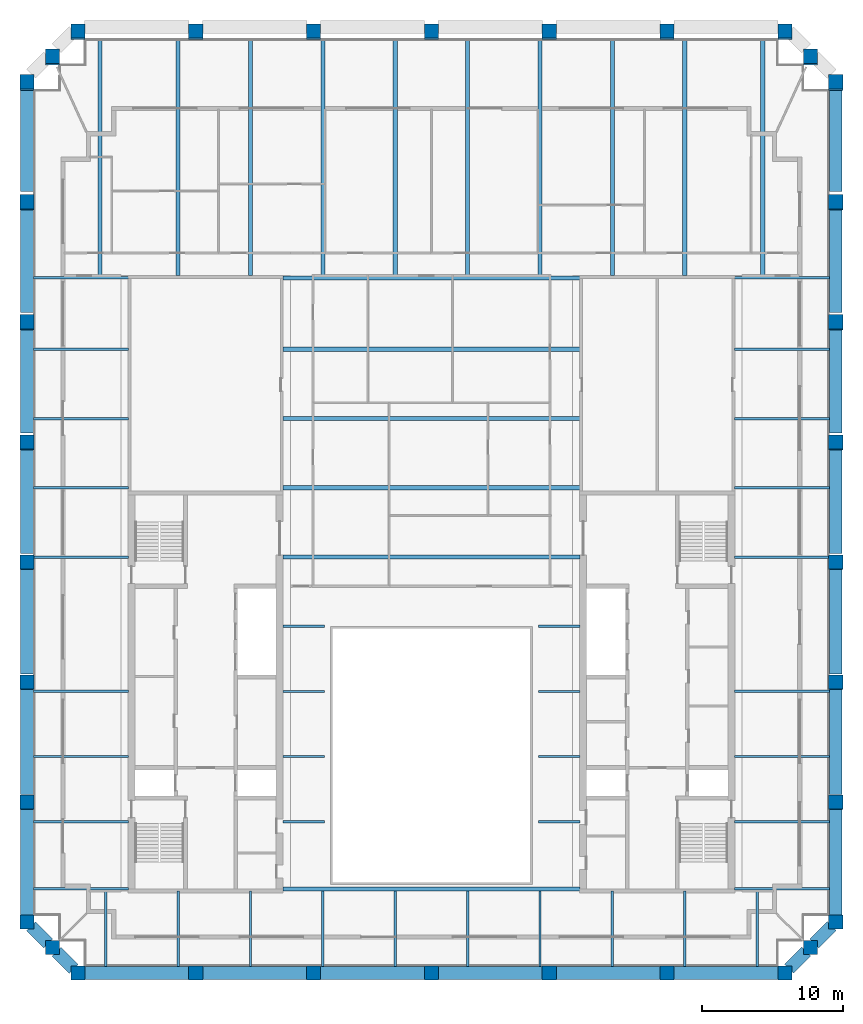
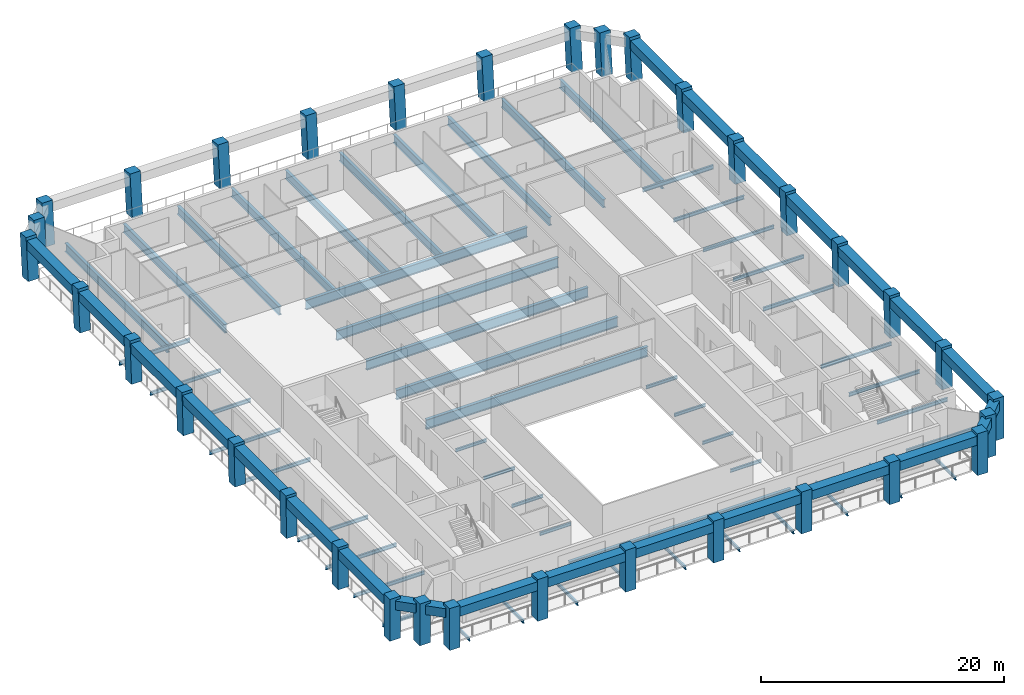
# One storey, part 1 of 8: 76 beams, 34 columns.
"""IFC4 building model written with IfcOpenShell, lengths in metres."""

from ifc_helpers import new_model, si_unit, direction, frame, origin, origin_2d, place, context, subcontext, project, spatial, rectangle, i_section, extrude, material, material_profile, profile_set, type_object, element, save


model = new_model("IFC4")

# Units and contexts
model_context = context("Model", 3, precision=1e-05, world=origin(), true_north=direction((0.0, 1.0)))
body_context = subcontext(model_context, "Body", "Model", "MODEL_VIEW")
ifc_project = project(units=[si_unit("LENGTHUNIT", "METRE"), si_unit("AREAUNIT", "SQUARE_METRE"), si_unit("VOLUMEUNIT", "CUBIC_METRE"), si_unit("PLANEANGLEUNIT", "RADIAN"), si_unit("MASSUNIT", "GRAM", prefix="KILO")], contexts=[model_context])

# Site, building, storey
site_placement = place(None, origin())
site = spatial("IfcSite", under=ifc_project, at=site_placement, CompositionType="ELEMENT")
building_placement = place(site_placement, origin())
building = spatial("IfcBuilding", under=site, at=building_placement, Name="Ogive Exchange Tower", CompositionType="ELEMENT")
storey_placement = place(building_placement, frame((0.0, 0.0, 334.199951171875)))
storey = spatial("IfcBuildingStorey", under=building, at=storey_placement, Name="L73", CompositionType="ELEMENT", Elevation=334.199951171875)

# Columns
ifc_material_1 = material(Name="Precast concrete C70/85 (limestone faced)", Category="masonry")
ifc_material_profile_1 = material_profile(ifc_material_1, rectangle(XDim=1.0, YDim=1.0, at=origin_2d()), Name="1000 x 1000")
ifc_profile_set_1 = profile_set([ifc_material_profile_1], Name="Precast concrete C70/85 (limestone faced)")
column_type = type_object("IfcColumnType", Name="Precast exoskeleton leg 1000 x 1000 C70/85", PredefinedType="COLUMN", material=ifc_profile_set_1)
for number, where, z_axis, x_axis, name in (
    (1, (-25.050048828125, -8.39990234375, 0.0), (0.0, 0.0, 1.0), (1.0, 0.0, 0.0), "Exoskeleton leg 1"),
    (2, (-16.699951171875, -8.39990234375, 0.0), (0.0, 0.0, 1.0), (1.0, 0.0, 0.0), "Exoskeleton leg 2"),
    (3, (-8.35009765625, -8.39990234375, 0.0), (0.0, 0.0, 1.0), (1.0, 0.0, 0.0), "Exoskeleton leg 3"),
    (4, (0.0, -8.39990234375, 0.0), (0.0, 0.0, 1.0), (1.0, 0.0, 0.0), "Exoskeleton leg 4"),
    (5, (8.35009765625, -8.39990234375, 0.0), (0.0, 0.0, 1.0), (1.0, 0.0, 0.0), "Exoskeleton leg 5"),
    (6, (16.699951171875, -8.39990234375, 0.0), (0.0, 0.0, 1.0), (1.0, 0.0, 0.0), "Exoskeleton leg 6"),
    (7, (25.050048828125, -8.39990234375, 0.0), (0.0, 0.0, 1.0), (1.0, 0.0, 0.0), "Exoskeleton leg 7"),
    (8, (28.64990234375, -4.800048828125, 0.0), (0.0, 0.0, 1.0), (1.0, 0.0, 0.0), "Exoskeleton leg 8"),
):
    element("IfcColumn", number, at=place(storey_placement, frame(where, z_axis=z_axis, x_axis=x_axis)), inside=storey, type_object=column_type, Name=name, PredefinedType="COLUMN", context=body_context, shape_type="SweptSolid", body=[
        extrude(rectangle(XDim=1.0, YDim=1.0, at=origin_2d()), origin(), (0.0, 0.0, 1.0), 4.199951171875),
    ])
column_1_placement = place(storey_placement, frame((28.64990234375, 3.69091796875, 0.0), z_axis=(0.0, 0.013019881024, 0.999915237757), x_axis=(-1.0, 0.0, 0.0)))
element("IfcColumn", 9, at=column_1_placement, inside=storey, type_object=column_type, Name="Exoskeleton leg 9", PredefinedType="COLUMN", context=body_context, shape_type="SweptSolid", body=[
    extrude(rectangle(XDim=1.0, YDim=1.0, at=origin_2d()), origin(), (0.0, 0.0, 1.0), 4.2001953125),
])
column_2_placement = place(storey_placement, frame((28.64990234375, 12.181884765625, 0.0), z_axis=(0.0, 0.025975072843, 0.999662590873), x_axis=(-1.0, 0.0, 0.0)))
element("IfcColumn", 10, at=column_2_placement, inside=storey, type_object=column_type, Name="Exoskeleton leg 10", PredefinedType="COLUMN", context=body_context, shape_type="SweptSolid", body=[
    extrude(rectangle(XDim=1.0, YDim=1.0, at=origin_2d()), origin(), (0.0, 0.0, 1.0), 4.201416015625),
])
column_3_placement = place(storey_placement, frame((28.64990234375, 20.672607421875, 0.0), z_axis=(0.0, 0.038975188043, 0.999240178694), x_axis=(-1.0, 0.0, 0.0)))
element("IfcColumn", 11, at=column_3_placement, inside=storey, type_object=column_type, Name="Exoskeleton leg 11", PredefinedType="COLUMN", context=body_context, shape_type="SweptSolid", body=[
    extrude(rectangle(XDim=1.0, YDim=1.0, at=origin_2d()), origin(), (0.0, 0.0, 1.0), 4.203125),
])
column_4_placement = place(storey_placement, frame((28.64990234375, 29.16357421875, 0.0), z_axis=(0.0, 0.051897648879, 0.99865240902), x_axis=(-1.0, 0.0, 0.0)))
element("IfcColumn", 12, at=column_4_placement, inside=storey, type_object=column_type, Name="Exoskeleton leg 12", PredefinedType="COLUMN", context=body_context, shape_type="SweptSolid", body=[
    extrude(rectangle(XDim=1.0, YDim=1.0, at=origin_2d()), origin(), (0.0, 0.0, 1.0), 4.20556640625),
])
column_5_placement = place(storey_placement, frame((28.64990234375, 37.654541015625, 0.0), z_axis=(0.0, 0.064794093908, 0.997898654872), x_axis=(-1.0, 0.0, 0.0)))
element("IfcColumn", 13, at=column_5_placement, inside=storey, type_object=column_type, Name="Exoskeleton leg 13", PredefinedType="COLUMN", context=body_context, shape_type="SweptSolid", body=[
    extrude(rectangle(XDim=1.0, YDim=1.0, at=origin_2d()), origin(), (0.0, 0.0, 1.0), 4.208740234375),
])
column_6_placement = place(storey_placement, frame((28.64990234375, 46.1455078125, 0.0), z_axis=(0.0, 0.077658156178, 0.996980045326), x_axis=(-1.0, 0.0, 0.0)))
element("IfcColumn", 14, at=column_6_placement, inside=storey, type_object=column_type, Name="Exoskeleton leg 14", PredefinedType="COLUMN", context=body_context, shape_type="SweptSolid", body=[
    extrude(rectangle(XDim=1.0, YDim=1.0, at=origin_2d()), origin(), (0.0, 0.0, 1.0), 4.212646484375),
])
for number, where, z_axis, x_axis, name in (
    (15, (28.64990234375, 54.636474609375, 0.0), (0.0, 0.090540965689, 0.995892731941), (-1.0, 0.0, 0.0), "Exoskeleton leg 15"),
    (16, (25.050048828125, 58.236328125, 0.0), (0.0, 0.090540965689, 0.995892731941), (-1.0, 0.0, 0.0), "Exoskeleton leg 16"),
    (17, (16.699951171875, 58.236328125, 0.0), (0.0, 0.090540965689, 0.995892731941), (-1.0, 0.0, 0.0), "Exoskeleton leg 17"),
    (18, (8.35009765625, 58.236328125, 0.0), (0.0, 0.090540965689, 0.995892731941), (-1.0, 0.0, 0.0), "Exoskeleton leg 18"),
    (19, (0.0, 58.236328125, 0.0), (0.0, 0.090540965689, 0.995892731941), (-1.0, 0.0, 0.0), "Exoskeleton leg 19"),
    (20, (-8.35009765625, 58.236328125, 0.0), (0.0, 0.090540965689, 0.995892731941), (-1.0, 0.0, 0.0), "Exoskeleton leg 20"),
    (21, (-16.699951171875, 58.236328125, 0.0), (0.0, 0.090540965689, 0.995892731941), (-1.0, 0.0, 0.0), "Exoskeleton leg 21"),
    (22, (-25.050048828125, 58.236328125, 0.0), (0.0, 0.090540965689, 0.995892731941), (-1.0, 0.0, 0.0), "Exoskeleton leg 22"),
    (23, (-28.64990234375, 54.636474609375, 0.0), (0.0, 0.090540965689, 0.995892731941), (-1.0, 0.0, 0.0), "Exoskeleton leg 23"),
):
    element("IfcColumn", number, at=place(storey_placement, frame(where, z_axis=z_axis, x_axis=x_axis)), inside=storey, type_object=column_type, Name=name, PredefinedType="COLUMN", context=body_context, shape_type="SweptSolid", body=[
        extrude(rectangle(XDim=1.0, YDim=1.0, at=origin_2d()), origin(), (0.0, 0.0, 1.0), 4.21728515625),
    ])
column_7_placement = place(storey_placement, frame((-28.64990234375, 46.1455078125, 0.0), z_axis=(0.0, 0.077658156178, 0.996980045326), x_axis=(-1.0, 0.0, 0.0)))
element("IfcColumn", 24, at=column_7_placement, inside=storey, type_object=column_type, Name="Exoskeleton leg 24", PredefinedType="COLUMN", context=body_context, shape_type="SweptSolid", body=[
    extrude(rectangle(XDim=1.0, YDim=1.0, at=origin_2d()), origin(), (0.0, 0.0, 1.0), 4.212646484375),
])
column_8_placement = place(storey_placement, frame((-28.64990234375, 37.654541015625, 0.0), z_axis=(0.0, 0.064794093908, 0.997898654872), x_axis=(-1.0, 0.0, 0.0)))
element("IfcColumn", 25, at=column_8_placement, inside=storey, type_object=column_type, Name="Exoskeleton leg 25", PredefinedType="COLUMN", context=body_context, shape_type="SweptSolid", body=[
    extrude(rectangle(XDim=1.0, YDim=1.0, at=origin_2d()), origin(), (0.0, 0.0, 1.0), 4.208740234375),
])
column_9_placement = place(storey_placement, frame((-28.64990234375, 29.16357421875, 0.0), z_axis=(0.0, 0.051897648879, 0.99865240902), x_axis=(-1.0, 0.0, 0.0)))
element("IfcColumn", 26, at=column_9_placement, inside=storey, type_object=column_type, Name="Exoskeleton leg 26", PredefinedType="COLUMN", context=body_context, shape_type="SweptSolid", body=[
    extrude(rectangle(XDim=1.0, YDim=1.0, at=origin_2d()), origin(), (0.0, 0.0, 1.0), 4.20556640625),
])
column_10_placement = place(storey_placement, frame((-28.64990234375, 20.672607421875, 0.0), z_axis=(0.0, 0.038975188043, 0.999240178694), x_axis=(-1.0, 0.0, 0.0)))
element("IfcColumn", 27, at=column_10_placement, inside=storey, type_object=column_type, Name="Exoskeleton leg 27", PredefinedType="COLUMN", context=body_context, shape_type="SweptSolid", body=[
    extrude(rectangle(XDim=1.0, YDim=1.0, at=origin_2d()), origin(), (0.0, 0.0, 1.0), 4.203125),
])
column_11_placement = place(storey_placement, frame((-28.64990234375, 12.181884765625, 0.0), z_axis=(0.0, 0.025975072843, 0.999662590873), x_axis=(-1.0, 0.0, 0.0)))
element("IfcColumn", 28, at=column_11_placement, inside=storey, type_object=column_type, Name="Exoskeleton leg 28", PredefinedType="COLUMN", context=body_context, shape_type="SweptSolid", body=[
    extrude(rectangle(XDim=1.0, YDim=1.0, at=origin_2d()), origin(), (0.0, 0.0, 1.0), 4.201416015625),
])
column_12_placement = place(storey_placement, frame((-28.64990234375, 3.69091796875, 0.0), z_axis=(0.0, 0.013019881024, 0.999915237757), x_axis=(-1.0, 0.0, 0.0)))
element("IfcColumn", 29, at=column_12_placement, inside=storey, type_object=column_type, Name="Exoskeleton leg 29", PredefinedType="COLUMN", context=body_context, shape_type="SweptSolid", body=[
    extrude(rectangle(XDim=1.0, YDim=1.0, at=origin_2d()), origin(), (0.0, 0.0, 1.0), 4.2001953125),
])
for number, where, z_axis, x_axis, name in (
    (30, (-28.64990234375, -4.800048828125, 0.0), (0.0, 0.0, 1.0), (1.0, 0.0, 0.0), "Exoskeleton leg 30"),
    (31, (26.85009765625, -6.60009765625, 0.0), (0.0, 0.0, 1.0), (1.0, 0.0, 0.0), "Exoskeleton leg 31"),
):
    element("IfcColumn", number, at=place(storey_placement, frame(where, z_axis=z_axis, x_axis=x_axis)), inside=storey, type_object=column_type, Name=name, PredefinedType="COLUMN", context=body_context, shape_type="SweptSolid", body=[
        extrude(rectangle(XDim=1.0, YDim=1.0, at=origin_2d()), origin(), (0.0, 0.0, 1.0), 4.199951171875),
    ])
for number, where, z_axis, x_axis, name in (
    (32, (26.85009765625, 56.436279296875, 0.0), (0.0, 0.090540965689, 0.995892731941), (-1.0, 0.0, 0.0), "Exoskeleton leg 32"),
    (33, (-26.85009765625, 56.436279296875, 0.0), (0.0, 0.090540965689, 0.995892731941), (-1.0, 0.0, 0.0), "Exoskeleton leg 33"),
):
    element("IfcColumn", number, at=place(storey_placement, frame(where, z_axis=z_axis, x_axis=x_axis)), inside=storey, type_object=column_type, Name=name, PredefinedType="COLUMN", context=body_context, shape_type="SweptSolid", body=[
        extrude(rectangle(XDim=1.0, YDim=1.0, at=origin_2d()), origin(), (0.0, 0.0, 1.0), 4.21728515625),
    ])
column_13_placement = place(storey_placement, frame((-26.85009765625, -6.60009765625, 0.0), z_axis=(0.0, 0.0, 1.0), x_axis=(1.0, 0.0, 0.0)))
element("IfcColumn", 34, at=column_13_placement, inside=storey, type_object=column_type, Name="Exoskeleton leg 34", PredefinedType="COLUMN", context=body_context, shape_type="SweptSolid", body=[
    extrude(rectangle(XDim=1.0, YDim=1.0, at=origin_2d()), origin(), (0.0, 0.0, 1.0), 4.199951171875),
])

# Beams
ifc_material_2 = material(Name="Steel ASTM A992 Gr50", Category="steel")
ifc_material_profile_2 = material_profile(ifc_material_2, i_section(OverallWidth=0.300048828125, OverallDepth=0.97998046875, WebThickness=0.0166015625, FlangeThickness=0.026123046875, at=origin_2d()), Name="W1000x249")
ifc_profile_set_2 = profile_set([ifc_material_profile_2], Name="Steel ASTM A992 Gr50")
beam_type_1 = type_object("IfcBeamType", Name="Floor beam W1000x249", PredefinedType="JOIST", material=ifc_profile_set_2)
for number, where, z_axis, x_axis, name in (
    (35, (-10.52001953125, 21.06201171875, -0.68994140625), (1.0, 0.0, 0.0), (0.0, 1.0, 0.0), "Floor beam"),
    (36, (-10.52001953125, 25.968994140625, -0.68994140625), (1.0, 0.0, 0.0), (0.0, 1.0, 0.0), "Floor beam"),
    (37, (-10.52001953125, 30.8759765625, -0.68994140625), (1.0, 0.0, 0.0), (0.0, 1.0, 0.0), "Floor beam"),
    (38, (-10.52001953125, 35.782958984375, -0.68994140625), (1.0, 0.0, 0.0), (0.0, 1.0, 0.0), "Floor beam"),
):
    element("IfcBeam", number, at=place(storey_placement, frame(where, z_axis=z_axis, x_axis=x_axis)), inside=storey, type_object=beam_type_1, Name=name, PredefinedType="JOIST", context=body_context, shape_type="SweptSolid", body=[
        extrude(i_section(OverallWidth=0.300048828125, OverallDepth=0.97998046875, WebThickness=0.0166015625, FlangeThickness=0.026123046875, at=origin_2d()), origin(), (0.0, 0.0, 1.0), 21.0400390625),
    ])
ifc_material_profile_3 = material_profile(ifc_material_2, i_section(OverallWidth=0.1650390625, OverallDepth=0.31005859375, WebThickness=0.005859375, FlangeThickness=0.009765625, at=origin_2d()), Name="W310x38.7")
ifc_profile_set_3 = profile_set([ifc_material_profile_3], Name="Steel ASTM A992 Gr50")
beam_type_2 = type_object("IfcBeamType", Name="Floor beam W310x38.7", PredefinedType="JOIST", material=ifc_profile_set_3)
for number, where, z_axis, x_axis, name in (
    (39, (-10.52001953125, 2.3212890625, -0.35498046875), (1.0, 0.0, 0.0), (0.0, 1.0, 0.0), "Floor beam"),
    (40, (7.570068359375, 2.3212890625, -0.35498046875), (1.0, 0.0, 0.0), (0.0, 1.0, 0.0), "Floor beam"),
    (41, (-10.52001953125, 6.9326171875, -0.35498046875), (1.0, 0.0, 0.0), (0.0, 1.0, 0.0), "Floor beam"),
    (42, (7.570068359375, 6.9326171875, -0.35498046875), (1.0, 0.0, 0.0), (0.0, 1.0, 0.0), "Floor beam"),
    (43, (-10.52001953125, 11.543701171875, -0.35498046875), (1.0, 0.0, 0.0), (0.0, 1.0, 0.0), "Floor beam"),
    (44, (7.570068359375, 11.543701171875, -0.35498046875), (1.0, 0.0, 0.0), (0.0, 1.0, 0.0), "Floor beam"),
):
    element("IfcBeam", number, at=place(storey_placement, frame(where, z_axis=z_axis, x_axis=x_axis)), inside=storey, type_object=beam_type_2, Name=name, PredefinedType="JOIST", context=body_context, shape_type="SweptSolid", body=[
        extrude(i_section(OverallWidth=0.1650390625, OverallDepth=0.31005859375, WebThickness=0.005859375, FlangeThickness=0.009765625, at=origin_2d()), origin(), (0.0, 0.0, 1.0), 2.949951171875),
    ])
beam_1_placement = place(storey_placement, frame((-23.07275390625, -7.949951171875, -0.35498046875), z_axis=(0.0, 1.0, 0.0), x_axis=(-1.0, 0.0, 0.0)))
element("IfcBeam", 45, at=beam_1_placement, inside=storey, type_object=beam_type_2, Name="Floor beam", PredefinedType="JOIST", context=body_context, shape_type="SweptSolid", body=[
    extrude(i_section(OverallWidth=0.1650390625, OverallDepth=0.31005859375, WebThickness=0.005859375, FlangeThickness=0.009765625, at=origin_2d()), origin(), (0.0, 0.0, 1.0), 5.416015625),
])
for number, where, z_axis, x_axis, name in (
    (46, (-17.945556640625, -7.949951171875, -0.35498046875), (0.0, 1.0, 0.0), (-1.0, 0.0, 0.0), "Floor beam"),
    (47, (-12.818115234375, -7.949951171875, -0.35498046875), (0.0, 1.0, 0.0), (-1.0, 0.0, 0.0), "Floor beam"),
):
    element("IfcBeam", number, at=place(storey_placement, frame(where, z_axis=z_axis, x_axis=x_axis)), inside=storey, type_object=beam_type_2, Name=name, PredefinedType="JOIST", context=body_context, shape_type="SweptSolid", body=[
        extrude(i_section(OverallWidth=0.1650390625, OverallDepth=0.31005859375, WebThickness=0.005859375, FlangeThickness=0.009765625, at=origin_2d()), origin(), (0.0, 0.0, 1.0), 5.349853515625),
    ])
for number, where, z_axis, x_axis, name in (
    (48, (-7.69091796875, -7.949951171875, -0.35498046875), (0.0, 1.0, 0.0), (-1.0, 0.0, 0.0), "Floor beam"),
    (49, (-2.563720703125, -7.949951171875, -0.35498046875), (0.0, 1.0, 0.0), (-1.0, 0.0, 0.0), "Floor beam"),
    (50, (2.563720703125, -7.949951171875, -0.35498046875), (0.0, 1.0, 0.0), (-1.0, 0.0, 0.0), "Floor beam"),
    (51, (7.69091796875, -7.949951171875, -0.35498046875), (0.0, 1.0, 0.0), (-1.0, 0.0, 0.0), "Floor beam"),
):
    element("IfcBeam", number, at=place(storey_placement, frame(where, z_axis=z_axis, x_axis=x_axis)), inside=storey, type_object=beam_type_2, Name=name, PredefinedType="JOIST", context=body_context, shape_type="SweptSolid", body=[
        extrude(i_section(OverallWidth=0.1650390625, OverallDepth=0.31005859375, WebThickness=0.005859375, FlangeThickness=0.009765625, at=origin_2d()), origin(), (0.0, 0.0, 1.0), 5.35498046875),
    ])
for number, where, z_axis, x_axis, name in (
    (52, (12.818115234375, -7.949951171875, -0.35498046875), (0.0, 1.0, 0.0), (-1.0, 0.0, 0.0), "Floor beam"),
    (53, (17.945556640625, -7.949951171875, -0.35498046875), (0.0, 1.0, 0.0), (-1.0, 0.0, 0.0), "Floor beam"),
):
    element("IfcBeam", number, at=place(storey_placement, frame(where, z_axis=z_axis, x_axis=x_axis)), inside=storey, type_object=beam_type_2, Name=name, PredefinedType="JOIST", context=body_context, shape_type="SweptSolid", body=[
        extrude(i_section(OverallWidth=0.1650390625, OverallDepth=0.31005859375, WebThickness=0.005859375, FlangeThickness=0.009765625, at=origin_2d()), origin(), (0.0, 0.0, 1.0), 5.349853515625),
    ])
beam_2_placement = place(storey_placement, frame((23.07275390625, -7.949951171875, -0.35498046875), z_axis=(0.0, 1.0, 0.0), x_axis=(-1.0, 0.0, 0.0)))
element("IfcBeam", 54, at=beam_2_placement, inside=storey, type_object=beam_type_2, Name="Floor beam", PredefinedType="JOIST", context=body_context, shape_type="SweptSolid", body=[
    extrude(i_section(OverallWidth=0.1650390625, OverallDepth=0.31005859375, WebThickness=0.005859375, FlangeThickness=0.009765625, at=origin_2d()), origin(), (0.0, 0.0, 1.0), 5.416015625),
])
ifc_material_profile_4 = material_profile(ifc_material_2, i_section(OverallWidth=0.1708984375, OverallDepth=0.35595703125, WebThickness=0.00732421875, FlangeThickness=0.01171875, at=origin_2d()), Name="W360x51")
ifc_profile_set_4 = profile_set([ifc_material_profile_4], Name="Steel ASTM A992 Gr50")
beam_type_3 = type_object("IfcBeamType", Name="Floor beam W360x51", PredefinedType="JOIST", material=ifc_profile_set_4)
for number, where, z_axis, x_axis, name in (
    (55, (-28.199951171875, 2.3212890625, -0.3779296875), (1.0, 0.0, 0.0), (0.0, 1.0, 0.0), "Floor beam"),
    (56, (21.47998046875, 2.3212890625, -0.3779296875), (1.0, 0.0, 0.0), (0.0, 1.0, 0.0), "Floor beam"),
    (57, (-28.199951171875, 6.9326171875, -0.3779296875), (1.0, 0.0, 0.0), (0.0, 1.0, 0.0), "Floor beam"),
    (58, (21.47998046875, 6.9326171875, -0.3779296875), (1.0, 0.0, 0.0), (0.0, 1.0, 0.0), "Floor beam"),
    (59, (-28.199951171875, 11.543701171875, -0.3779296875), (1.0, 0.0, 0.0), (0.0, 1.0, 0.0), "Floor beam"),
    (60, (21.47998046875, 11.543701171875, -0.3779296875), (1.0, 0.0, 0.0), (0.0, 1.0, 0.0), "Floor beam"),
    (61, (-28.199951171875, 21.06201171875, -0.3779296875), (1.0, 0.0, 0.0), (0.0, 1.0, 0.0), "Floor beam"),
    (62, (21.47998046875, 21.06201171875, -0.3779296875), (1.0, 0.0, 0.0), (0.0, 1.0, 0.0), "Floor beam"),
    (63, (-28.199951171875, 25.968994140625, -0.3779296875), (1.0, 0.0, 0.0), (0.0, 1.0, 0.0), "Floor beam"),
    (64, (21.47998046875, 25.968994140625, -0.3779296875), (1.0, 0.0, 0.0), (0.0, 1.0, 0.0), "Floor beam"),
    (65, (-28.199951171875, 30.8759765625, -0.3779296875), (1.0, 0.0, 0.0), (0.0, 1.0, 0.0), "Floor beam"),
    (66, (21.47998046875, 30.8759765625, -0.3779296875), (1.0, 0.0, 0.0), (0.0, 1.0, 0.0), "Floor beam"),
    (67, (-28.199951171875, 35.782958984375, -0.3779296875), (1.0, 0.0, 0.0), (0.0, 1.0, 0.0), "Floor beam"),
    (68, (21.47998046875, 35.782958984375, -0.3779296875), (1.0, 0.0, 0.0), (0.0, 1.0, 0.0), "Floor beam"),
):
    element("IfcBeam", number, at=place(storey_placement, frame(where, z_axis=z_axis, x_axis=x_axis)), inside=storey, type_object=beam_type_3, Name=name, PredefinedType="JOIST", context=body_context, shape_type="SweptSolid", body=[
        extrude(i_section(OverallWidth=0.1708984375, OverallDepth=0.35595703125, WebThickness=0.00732421875, FlangeThickness=0.01171875, at=origin_2d()), origin(), (0.0, 0.0, 1.0), 6.719970703125),
    ])
ifc_material_profile_5 = material_profile(ifc_material_2, i_section(OverallWidth=0.2919921875, OverallDepth=0.8359375, WebThickness=0.013916015625, FlangeThickness=0.018798828125, at=origin_2d()), Name="W840x176")
ifc_profile_set_5 = profile_set([ifc_material_profile_5], Name="Steel ASTM A992 Gr50")
beam_type_4 = type_object("IfcBeamType", Name="Floor beam W840x176", PredefinedType="JOIST", material=ifc_profile_set_5)
beam_3_placement = place(storey_placement, frame((-23.47265625, 40.93408203125, -0.617919921875), z_axis=(0.0, 1.0, 0.0), x_axis=(-1.0, 0.0, 0.0)))
element("IfcBeam", 69, at=beam_3_placement, inside=storey, type_object=beam_type_4, Name="Floor beam", PredefinedType="JOIST", context=body_context, shape_type="SweptSolid", body=[
    extrude(i_section(OverallWidth=0.2919921875, OverallDepth=0.8359375, WebThickness=0.013916015625, FlangeThickness=0.018798828125, at=origin_2d()), origin(), (0.0, 0.0, 1.0), 16.852294921875),
])
for number, where, z_axis, x_axis, name in (
    (70, (-17.945556640625, 41.0, -0.617919921875), (0.0, 1.0, 0.0), (-1.0, 0.0, 0.0), "Floor beam"),
    (71, (-12.818115234375, 41.0, -0.617919921875), (0.0, 1.0, 0.0), (-1.0, 0.0, 0.0), "Floor beam"),
):
    element("IfcBeam", number, at=place(storey_placement, frame(where, z_axis=z_axis, x_axis=x_axis)), inside=storey, type_object=beam_type_4, Name=name, PredefinedType="JOIST", context=body_context, shape_type="SweptSolid", body=[
        extrude(i_section(OverallWidth=0.2919921875, OverallDepth=0.8359375, WebThickness=0.013916015625, FlangeThickness=0.018798828125, at=origin_2d()), origin(), (0.0, 0.0, 1.0), 16.786376953125),
    ])
for number, where, z_axis, x_axis, name in (
    (72, (-7.69091796875, 40.9951171875, -0.617919921875), (0.0, 1.0, 0.0), (-1.0, 0.0, 0.0), "Floor beam"),
    (73, (-2.563720703125, 40.9951171875, -0.617919921875), (0.0, 1.0, 0.0), (-1.0, 0.0, 0.0), "Floor beam"),
    (74, (2.563720703125, 40.9951171875, -0.617919921875), (0.0, 1.0, 0.0), (-1.0, 0.0, 0.0), "Floor beam"),
    (75, (7.69091796875, 40.9951171875, -0.617919921875), (0.0, 1.0, 0.0), (-1.0, 0.0, 0.0), "Floor beam"),
):
    element("IfcBeam", number, at=place(storey_placement, frame(where, z_axis=z_axis, x_axis=x_axis)), inside=storey, type_object=beam_type_4, Name=name, PredefinedType="JOIST", context=body_context, shape_type="SweptSolid", body=[
        extrude(i_section(OverallWidth=0.2919921875, OverallDepth=0.8359375, WebThickness=0.013916015625, FlangeThickness=0.018798828125, at=origin_2d()), origin(), (0.0, 0.0, 1.0), 16.791259765625),
    ])
for number, where, z_axis, x_axis, name in (
    (76, (12.818115234375, 41.0, -0.617919921875), (0.0, 1.0, 0.0), (-1.0, 0.0, 0.0), "Floor beam"),
    (77, (17.945556640625, 41.0, -0.617919921875), (0.0, 1.0, 0.0), (-1.0, 0.0, 0.0), "Floor beam"),
):
    element("IfcBeam", number, at=place(storey_placement, frame(where, z_axis=z_axis, x_axis=x_axis)), inside=storey, type_object=beam_type_4, Name=name, PredefinedType="JOIST", context=body_context, shape_type="SweptSolid", body=[
        extrude(i_section(OverallWidth=0.2919921875, OverallDepth=0.8359375, WebThickness=0.013916015625, FlangeThickness=0.018798828125, at=origin_2d()), origin(), (0.0, 0.0, 1.0), 16.786376953125),
    ])
beam_4_placement = place(storey_placement, frame((23.47265625, 40.93408203125, -0.617919921875), z_axis=(0.0, 1.0, 0.0), x_axis=(-1.0, 0.0, 0.0)))
element("IfcBeam", 78, at=beam_4_placement, inside=storey, type_object=beam_type_4, Name="Floor beam", PredefinedType="JOIST", context=body_context, shape_type="SweptSolid", body=[
    extrude(i_section(OverallWidth=0.2919921875, OverallDepth=0.8359375, WebThickness=0.013916015625, FlangeThickness=0.018798828125, at=origin_2d()), origin(), (0.0, 0.0, 1.0), 16.852294921875),
])
ifc_material_profile_6 = material_profile(ifc_material_2, i_section(OverallWidth=0.300048828125, OverallDepth=0.97998046875, WebThickness=0.0166015625, FlangeThickness=0.026123046875, at=origin_2d()), Name="W1000x249")
ifc_profile_set_6 = profile_set([ifc_material_profile_6], Name="Steel ASTM A992 Gr50")
beam_type_5 = type_object("IfcBeamType", Name="Girder W1000x249", PredefinedType="BEAM", material=ifc_profile_set_6)
for number, where, z_axis, x_axis, name in (
    (79, (-10.52001953125, -2.445068359375, -0.68994140625), (1.0, 0.0, 0.0), (0.0, 1.0, 0.0), "Header girder"),
    (80, (-10.52001953125, 40.844970703125, -0.68994140625), (1.0, 0.0, 0.0), (0.0, 1.0, 0.0), "Header girder"),
):
    element("IfcBeam", number, at=place(storey_placement, frame(where, z_axis=z_axis, x_axis=x_axis)), inside=storey, type_object=beam_type_5, Name=name, PredefinedType="BEAM", context=body_context, shape_type="SweptSolid", body=[
        extrude(i_section(OverallWidth=0.300048828125, OverallDepth=0.97998046875, WebThickness=0.0166015625, FlangeThickness=0.026123046875, at=origin_2d()), origin(), (0.0, 0.0, 1.0), 21.0400390625),
    ])
ifc_material_profile_7 = material_profile(ifc_material_2, i_section(OverallWidth=0.1650390625, OverallDepth=0.31005859375, WebThickness=0.005859375, FlangeThickness=0.009765625, at=origin_2d()), Name="W310x38.7")
ifc_profile_set_7 = profile_set([ifc_material_profile_7], Name="Steel ASTM A992 Gr50")
beam_type_6 = type_object("IfcBeamType", Name="Girder W310x38.7", PredefinedType="BEAM", material=ifc_profile_set_7)
for number, where, z_axis, x_axis, name in (
    (81, (-10.52001953125, 16.155029296875, -0.35498046875), (1.0, 0.0, 0.0), (0.0, 1.0, 0.0), "Trimmer girder"),
    (82, (7.570068359375, 16.155029296875, -0.35498046875), (1.0, 0.0, 0.0), (0.0, 1.0, 0.0), "Trimmer girder"),
):
    element("IfcBeam", number, at=place(storey_placement, frame(where, z_axis=z_axis, x_axis=x_axis)), inside=storey, type_object=beam_type_6, Name=name, PredefinedType="BEAM", context=body_context, shape_type="SweptSolid", body=[
        extrude(i_section(OverallWidth=0.1650390625, OverallDepth=0.31005859375, WebThickness=0.005859375, FlangeThickness=0.009765625, at=origin_2d()), origin(), (0.0, 0.0, 1.0), 2.949951171875),
    ])
ifc_material_profile_8 = material_profile(ifc_material_2, i_section(OverallWidth=0.177978515625, OverallDepth=0.406005859375, WebThickness=0.0078125, FlangeThickness=0.0126953125, at=origin_2d()), Name="W410x60")
ifc_profile_set_8 = profile_set([ifc_material_profile_8], Name="Steel ASTM A992 Gr50")
beam_type_7 = type_object("IfcBeamType", Name="Girder W410x60", PredefinedType="BEAM", material=ifc_profile_set_8)
for number, where, z_axis, x_axis, name in (
    (83, (-28.199951171875, -2.445068359375, -0.40283203125), (1.0, 0.0, 0.0), (0.0, 1.0, 0.0), "Header girder"),
    (84, (21.47998046875, -2.445068359375, -0.40283203125), (1.0, 0.0, 0.0), (0.0, 1.0, 0.0), "Header girder"),
    (85, (-28.199951171875, 40.844970703125, -0.40283203125), (1.0, 0.0, 0.0), (0.0, 1.0, 0.0), "Header girder"),
    (86, (21.47998046875, 40.844970703125, -0.40283203125), (1.0, 0.0, 0.0), (0.0, 1.0, 0.0), "Header girder"),
):
    element("IfcBeam", number, at=place(storey_placement, frame(where, z_axis=z_axis, x_axis=x_axis)), inside=storey, type_object=beam_type_7, Name=name, PredefinedType="BEAM", context=body_context, shape_type="SweptSolid", body=[
        extrude(i_section(OverallWidth=0.177978515625, OverallDepth=0.406005859375, WebThickness=0.0078125, FlangeThickness=0.0126953125, at=origin_2d()), origin(), (0.0, 0.0, 1.0), 6.719970703125),
    ])
ifc_material_profile_9 = material_profile(ifc_material_1, rectangle(XDim=0.89990234375, YDim=0.89990234375, at=origin_2d()), Name="900 x 900")
ifc_profile_set_9 = profile_set([ifc_material_profile_9], Name="Precast concrete C70/85 (limestone faced)")
beam_type_8 = type_object("IfcBeamType", Name="Precast spandrel 900 x 900 C70/85", PredefinedType="SPANDREL", material=ifc_profile_set_9)
beam_5_placement = place(storey_placement, frame((-24.570068359375, -8.39990234375, 3.5), z_axis=(1.0, 0.0, 0.0), x_axis=(0.0, 1.0, 0.0)))
element("IfcBeam", 87, at=beam_5_placement, inside=storey, type_object=beam_type_8, Name="Spandrel 1", PredefinedType="SPANDREL", context=body_context, shape_type="SweptSolid", body=[
    extrude(rectangle(XDim=0.89990234375, YDim=0.89990234375, at=origin_2d()), origin(), (0.0, 0.0, 1.0), 7.39013671875),
])
beam_6_placement = place(storey_placement, frame((-16.219970703125, -8.39990234375, 3.5), z_axis=(1.0, 0.0, 0.0), x_axis=(0.0, 1.0, 0.0)))
element("IfcBeam", 88, at=beam_6_placement, inside=storey, type_object=beam_type_8, Name="Spandrel 2", PredefinedType="SPANDREL", context=body_context, shape_type="SweptSolid", body=[
    extrude(rectangle(XDim=0.89990234375, YDim=0.89990234375, at=origin_2d()), origin(), (0.0, 0.0, 1.0), 7.389892578125),
])
for number, where, z_axis, x_axis, name in (
    (89, (-7.8701171875, -8.39990234375, 3.5), (1.0, 0.0, 0.0), (0.0, 1.0, 0.0), "Spandrel 3"),
    (90, (0.47998046875, -8.39990234375, 3.5), (1.0, 0.0, 0.0), (0.0, 1.0, 0.0), "Spandrel 4"),
):
    element("IfcBeam", number, at=place(storey_placement, frame(where, z_axis=z_axis, x_axis=x_axis)), inside=storey, type_object=beam_type_8, Name=name, PredefinedType="SPANDREL", context=body_context, shape_type="SweptSolid", body=[
        extrude(rectangle(XDim=0.89990234375, YDim=0.89990234375, at=origin_2d()), origin(), (0.0, 0.0, 1.0), 7.39013671875),
    ])
beam_7_placement = place(storey_placement, frame((8.830078125, -8.39990234375, 3.5), z_axis=(1.0, 0.0, 0.0), x_axis=(0.0, 1.0, 0.0)))
element("IfcBeam", 91, at=beam_7_placement, inside=storey, type_object=beam_type_8, Name="Spandrel 5", PredefinedType="SPANDREL", context=body_context, shape_type="SweptSolid", body=[
    extrude(rectangle(XDim=0.89990234375, YDim=0.89990234375, at=origin_2d()), origin(), (0.0, 0.0, 1.0), 7.389892578125),
])
beam_8_placement = place(storey_placement, frame((17.179931640625, -8.39990234375, 3.5), z_axis=(1.0, 0.0, 0.0), x_axis=(0.0, 1.0, 0.0)))
element("IfcBeam", 92, at=beam_8_placement, inside=storey, type_object=beam_type_8, Name="Spandrel 6", PredefinedType="SPANDREL", context=body_context, shape_type="SweptSolid", body=[
    extrude(rectangle(XDim=0.89990234375, YDim=0.89990234375, at=origin_2d()), origin(), (0.0, 0.0, 1.0), 7.39013671875),
])
for number, where, z_axis, x_axis, name in (
    (93, (25.337890625, -8.112060546875, 3.5), (0.707106781187, 0.707106781187, 0.0), (-0.707106781187, 0.707106781187, 0.0), "Spandrel 7"),
    (94, (27.137939453125, -6.31201171875, 3.5), (0.707106781187, 0.707106781187, 0.0), (-0.707106781187, 0.707106781187, 0.0), "Spandrel 8"),
):
    element("IfcBeam", number, at=place(storey_placement, frame(where, z_axis=z_axis, x_axis=x_axis)), inside=storey, type_object=beam_type_8, Name=name, PredefinedType="SPANDREL", context=body_context, shape_type="SweptSolid", body=[
        extrude(rectangle(XDim=0.89990234375, YDim=0.89990234375, at=origin_2d()), origin(), (0.0, 0.0, 1.0), 1.731201171875),
    ])
beam_9_placement = place(storey_placement, frame((28.64990234375, -4.320068359375, 3.5), z_axis=(0.0, 1.0, 0.0), x_axis=(-1.0, 0.0, 0.0)))
element("IfcBeam", 95, at=beam_9_placement, inside=storey, type_object=beam_type_8, Name="Spandrel 9", PredefinedType="SPANDREL", context=body_context, shape_type="SweptSolid", body=[
    extrude(rectangle(XDim=0.89990234375, YDim=0.89990234375, at=origin_2d()), origin(), (0.0, 0.0, 1.0), 7.58544921875),
])
beam_10_placement = place(storey_placement, frame((28.64990234375, 4.2255859375, 3.5), z_axis=(0.0, 1.0, 0.0), x_axis=(-1.0, 0.0, 0.0)))
element("IfcBeam", 96, at=beam_10_placement, inside=storey, type_object=beam_type_8, Name="Spandrel 10", PredefinedType="SPANDREL", context=body_context, shape_type="SweptSolid", body=[
    extrude(rectangle(XDim=0.89990234375, YDim=0.89990234375, at=origin_2d()), origin(), (0.0, 0.0, 1.0), 7.585205078125),
])
for number, where, z_axis, x_axis, name in (
    (97, (28.64990234375, 12.77099609375, 3.5), (0.0, 1.0, 0.0), (-1.0, 0.0, 0.0), "Spandrel 11"),
    (98, (28.64990234375, 21.31640625, 3.5), (0.0, 1.0, 0.0), (-1.0, 0.0, 0.0), "Spandrel 12"),
    (99, (28.64990234375, 29.86181640625, 3.5), (0.0, 1.0, 0.0), (-1.0, 0.0, 0.0), "Spandrel 13"),
    (100, (28.64990234375, 38.4072265625, 3.5), (0.0, 1.0, 0.0), (-1.0, 0.0, 0.0), "Spandrel 14"),
    (101, (28.64990234375, 46.95263671875, 3.5), (0.0, 1.0, 0.0), (-1.0, 0.0, 0.0), "Spandrel 15"),
    (102, (-28.64990234375, 54.5380859375, 3.5), (0.0, -1.0, 0.0), (1.0, 0.0, 0.0), "Spandrel 26"),
    (103, (-28.64990234375, 45.99267578125, 3.5), (0.0, -1.0, 0.0), (1.0, 0.0, 0.0), "Spandrel 27"),
    (104, (-28.64990234375, 37.447265625, 3.5), (0.0, -1.0, 0.0), (1.0, 0.0, 0.0), "Spandrel 28"),
    (105, (-28.64990234375, 28.90185546875, 3.5), (0.0, -1.0, 0.0), (1.0, 0.0, 0.0), "Spandrel 29"),
    (106, (-28.64990234375, 20.3564453125, 3.5), (0.0, -1.0, 0.0), (1.0, 0.0, 0.0), "Spandrel 30"),
):
    element("IfcBeam", number, at=place(storey_placement, frame(where, z_axis=z_axis, x_axis=x_axis)), inside=storey, type_object=beam_type_8, Name=name, PredefinedType="SPANDREL", context=body_context, shape_type="SweptSolid", body=[
        extrude(rectangle(XDim=0.89990234375, YDim=0.89990234375, at=origin_2d()), origin(), (0.0, 0.0, 1.0), 7.58544921875),
    ])
beam_11_placement = place(storey_placement, frame((-28.64990234375, 11.810791015625, 3.5), z_axis=(0.0, -1.0, 0.0), x_axis=(1.0, 0.0, 0.0)))
element("IfcBeam", 107, at=beam_11_placement, inside=storey, type_object=beam_type_8, Name="Spandrel 31", PredefinedType="SPANDREL", context=body_context, shape_type="SweptSolid", body=[
    extrude(rectangle(XDim=0.89990234375, YDim=0.89990234375, at=origin_2d()), origin(), (0.0, 0.0, 1.0), 7.585205078125),
])
beam_12_placement = place(storey_placement, frame((-28.64990234375, 3.265380859375, 3.5), z_axis=(0.0, -1.0, 0.0), x_axis=(1.0, 0.0, 0.0)))
element("IfcBeam", 108, at=beam_12_placement, inside=storey, type_object=beam_type_8, Name="Spandrel 32", PredefinedType="SPANDREL", context=body_context, shape_type="SweptSolid", body=[
    extrude(rectangle(XDim=0.89990234375, YDim=0.89990234375, at=origin_2d()), origin(), (0.0, 0.0, 1.0), 7.58544921875),
])
for number, where, z_axis, x_axis, name in (
    (109, (-28.362060546875, -5.087890625, 3.5), (0.707106781187, -0.707106781187, 0.0), (0.707106781187, 0.707106781187, 0.0), "Spandrel 33"),
    (110, (-26.56201171875, -6.887939453125, 3.5), (0.707106781187, -0.707106781187, 0.0), (0.707106781187, 0.707106781187, 0.0), "Spandrel 34"),
):
    element("IfcBeam", number, at=place(storey_placement, frame(where, z_axis=z_axis, x_axis=x_axis)), inside=storey, type_object=beam_type_8, Name=name, PredefinedType="SPANDREL", context=body_context, shape_type="SweptSolid", body=[
        extrude(rectangle(XDim=0.89990234375, YDim=0.89990234375, at=origin_2d()), origin(), (0.0, 0.0, 1.0), 1.731201171875),
    ])

save(model, "model.ifc")
